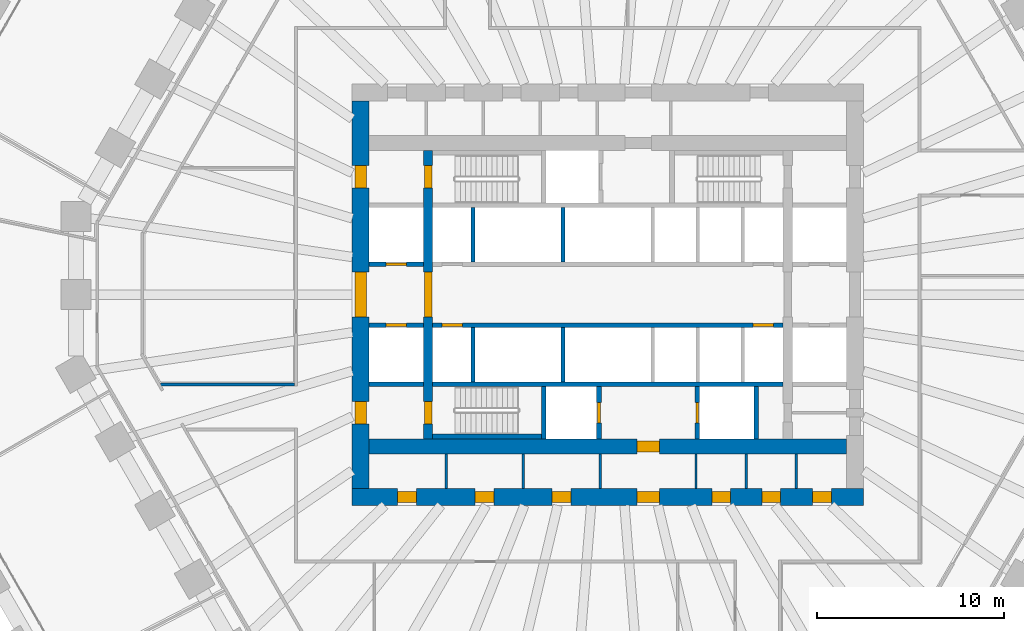
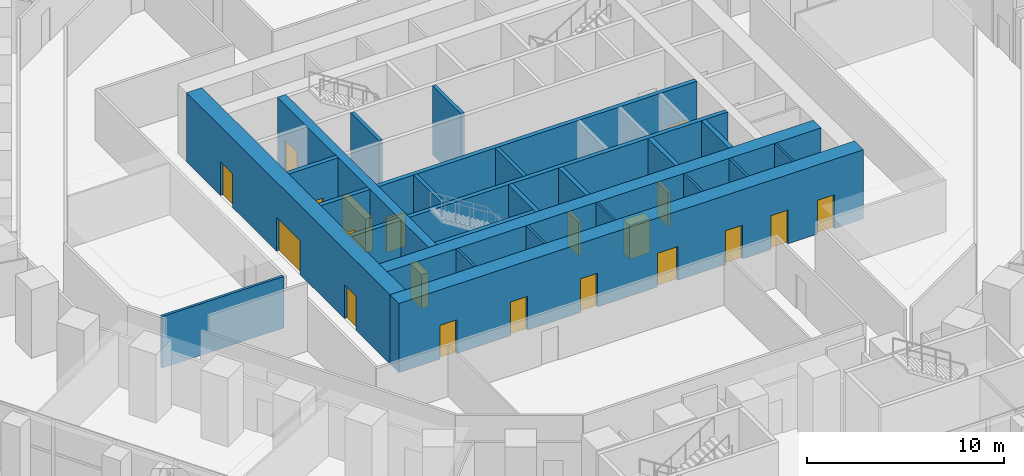
# One storey, part 20 of 38: 25 walls, 20 doors, 20 openings.
"""IFC4 building model written with IfcOpenShell, lengths in metres."""

from ifc_helpers import new_model, si_unit, direction, frame, frame_2d, origin, place, context, subcontext, project, spatial, rectangle, extrude, material, layer, layer_set, type_object, element, fill, save


model = new_model("IFC4")

# Units and contexts
model_context = context("Model", 3, precision=1e-05, world=origin(), true_north=direction((0.0, 1.0)))
body_context = subcontext(model_context, "Body", "Model", "MODEL_VIEW")
ifc_project = project(units=[si_unit("LENGTHUNIT", "METRE"), si_unit("AREAUNIT", "SQUARE_METRE"), si_unit("VOLUMEUNIT", "CUBIC_METRE"), si_unit("PLANEANGLEUNIT", "RADIAN"), si_unit("MASSUNIT", "GRAM", prefix="KILO")], contexts=[model_context])

# Site, building, storey
site_placement = place(None, origin())
site = spatial("IfcSite", under=ifc_project, at=site_placement, CompositionType="ELEMENT")
building_placement = place(site_placement, origin())
building = spatial("IfcBuilding", under=site, at=building_placement, Name="Frailejon Research Tower", CompositionType="ELEMENT")
storey_placement = place(building_placement, frame((0.0, 0.0, 5.60009765625)))
storey = spatial("IfcBuildingStorey", under=building, at=storey_placement, Name="L01", CompositionType="ELEMENT", Elevation=5.60009765625)

# Walls
ifc_material_1 = material(Name="Plasterboard on steel studs", Category="steel")
ifc_layer_1 = layer(ifc_material_1, 0.125)
ifc_layer_set_1 = layer_set([ifc_layer_1], Name="Core partition 125")
wall_type_1 = type_object("IfcWallType", Name="Core partition 125", PredefinedType="PARTITIONING", material=ifc_layer_set_1)
for number, where, z_axis, x_axis, name in (
    (1, (-8.637451171875, -10.35009765625, 0.0), (0.0, 0.0, 1.0), (0.0, 1.0, 0.0), "Core partition"),
    (2, (-4.52490234375, -10.35009765625, 0.0), (0.0, 0.0, 1.0), (0.0, 1.0, 0.0), "Core partition"),
    (3, (-0.41259765625, -10.35009765625, 0.0), (0.0, 0.0, 1.0), (0.0, 1.0, 0.0), "Core partition"),
    (4, (4.71240234375, -10.35009765625, 0.0), (0.0, 0.0, 1.0), (0.0, 1.0, 0.0), "Core partition"),
    (5, (7.3916015625, -10.35009765625, 0.0), (0.0, 0.0, 1.0), (0.0, 1.0, 0.0), "Core partition"),
    (6, (10.07080078125, -10.35009765625, 0.0), (0.0, 0.0, 1.0), (0.0, 1.0, 0.0), "Core partition"),
):
    element("IfcWall", number, at=place(storey_placement, frame(where, z_axis=z_axis, x_axis=x_axis)), inside=storey, type_object=wall_type_1, Name=name, PredefinedType="PARTITIONING", context=body_context, shape_type="SweptSolid", body=[
        extrude(rectangle(XDim=1.85009765625, YDim=0.125, at=frame_2d((0.925048828125, 0.0))), origin(), (0.0, 0.0, 1.0), 4.2998046875),
    ])

# Wall, openings, doors
ifc_material_2 = material(Name="Concrete C70/85", Category="concrete")
ifc_layer_2 = layer(ifc_material_2, 0.5)
ifc_layer_set_2 = layer_set([ifc_layer_2], Name="Core shear wall 500 C70/85")
wall_type_2 = type_object("IfcWallType", Name="Core shear wall 500 C70/85", PredefinedType="SHEAR", material=ifc_layer_set_2)
wall_1_placement = place(storey_placement, frame((-9.60009765625, -7.699951171875, 0.0), z_axis=(0.0, 0.0, 1.0), x_axis=(0.0, 1.0, 0.0)))
wall_1 = element("IfcWall", 7, at=wall_1_placement, inside=storey, type_object=wall_type_2, Name="Core shear wall", PredefinedType="SHEAR", context=body_context, shape_type="SweptSolid", body=[
    extrude(rectangle(XDim=15.39990234375, YDim=0.5, at=frame_2d((7.699951171875, 0.0))), origin(), (0.0, 0.0, 1.0), 4.2998046875),
])
opening_1_placement = place(wall_1_placement, frame((6.5, 0.0, 0.0)))
opening_1 = element("IfcOpeningElement", 8, at=opening_1_placement, cuts=wall_1, Name="Opening D2", PredefinedType="OPENING", context=body_context, shape_type="SweptSolid", body=[
    extrude(rectangle(XDim=2.39990234375, YDim=2.10009765625, at=frame_2d((1.199951171875, 1.050048828125))), frame((0.0, 0.260009765625, 0.0), z_axis=(0.0, -1.0, 0.0), x_axis=(1.0, 0.0, 0.0)), (0.0, 0.0, 1.0), 0.52001953125),
])
opening_2_placement = place(wall_1_placement, frame((13.39990234375, 0.0, 0.0)))
opening_2 = element("IfcOpeningElement", 9, at=opening_2_placement, cuts=wall_1, Name="Opening D1", PredefinedType="OPENING", context=body_context, shape_type="SweptSolid", body=[
    extrude(rectangle(XDim=1.199951171875, YDim=2.10009765625, at=frame_2d((0.60009765625, 1.050048828125))), frame((0.0, 0.260009765625, 0.0), z_axis=(0.0, -1.0, 0.0), x_axis=(1.0, 0.0, 0.0)), (0.0, 0.0, 1.0), 0.52001953125),
])
opening_3_placement = place(wall_1_placement, frame((0.800048828125, 0.0, 0.0)))
opening_3 = element("IfcOpeningElement", 10, at=opening_3_placement, cuts=wall_1, Name="Opening D1", PredefinedType="OPENING", context=body_context, shape_type="SweptSolid", body=[
    extrude(rectangle(XDim=1.199951171875, YDim=2.10009765625, at=frame_2d((0.60009765625, 1.050048828125))), frame((0.0, 0.260009765625, 0.0), z_axis=(0.0, -1.0, 0.0), x_axis=(1.0, 0.0, 0.0)), (0.0, 0.0, 1.0), 0.52001953125),
])
ifc_material_3 = material(Name="Steel", Category="steel")
door_type_1 = type_object("IfcDoorType", Name="Lobby double door", OperationType="DOUBLE_DOOR_SINGLE_SWING", PredefinedType="DOOR", material=ifc_material_3)
door_1_placement = place(opening_1_placement, origin())
door_1 = element("IfcDoor", 11, at=door_1_placement, inside=storey, type_object=door_type_1, Name="Lobby door", OperationType="DOUBLE_DOOR_SINGLE_SWING", OverallHeight=2.10009765625, OverallWidth=2.39990234375, PredefinedType="DOOR", context=body_context, shape_type="SweptSolid", body=[
    extrude(rectangle(XDim=2.39990234375, YDim=2.10009765625, at=frame_2d((1.199951171875, 1.050048828125))), frame((0.0, 0.199951171875, 0.0), z_axis=(0.0, -1.0, 0.0), x_axis=(1.0, 0.0, 0.0)), (0.0, 0.0, 1.0), 0.39990234375),
])
fill(opening_1, door_1)
ifc_material_4 = material(Name="Steel", Category="steel")
door_type_2 = type_object("IfcDoorType", Name="Stair door", OperationType="SINGLE_SWING_LEFT", PredefinedType="DOOR", material=ifc_material_4)
door_2_placement = place(opening_2_placement, origin())
door_2 = element("IfcDoor", 12, at=door_2_placement, inside=storey, type_object=door_type_2, Name="Stair door ST1", OperationType="SINGLE_SWING_LEFT", OverallHeight=2.10009765625, OverallWidth=1.199951171875, PredefinedType="DOOR", context=body_context, shape_type="SweptSolid", body=[
    extrude(rectangle(XDim=1.199951171875, YDim=2.10009765625, at=frame_2d((0.60009765625, 1.050048828125))), frame((0.0, 0.199951171875, 0.0), z_axis=(0.0, -1.0, 0.0), x_axis=(1.0, 0.0, 0.0)), (0.0, 0.0, 1.0), 0.39990234375),
])
fill(opening_2, door_2)
door_3_placement = place(opening_3_placement, origin())
door_3 = element("IfcDoor", 13, at=door_3_placement, inside=storey, type_object=door_type_2, Name="Stair door ST2", OperationType="SINGLE_SWING_LEFT", OverallHeight=2.10009765625, OverallWidth=1.199951171875, PredefinedType="DOOR", context=body_context, shape_type="SweptSolid", body=[
    extrude(rectangle(XDim=1.199951171875, YDim=2.10009765625, at=frame_2d((0.60009765625, 1.050048828125))), frame((0.0, 0.199951171875, 0.0), z_axis=(0.0, -1.0, 0.0), x_axis=(1.0, 0.0, 0.0)), (0.0, 0.0, 1.0), 0.39990234375),
])
fill(opening_3, door_3)

# Wall, opening, door
ifc_material_5 = material(Name="Concrete C70/85", Category="concrete")
ifc_layer_3 = layer(ifc_material_5, 0.800048828125)
ifc_layer_set_3 = layer_set([ifc_layer_3], Name="Core shear wall 800 C70/85")
wall_type_3 = type_object("IfcWallType", Name="Core shear wall 800 C70/85", PredefinedType="SHEAR", material=ifc_layer_set_3)
wall_2_placement = place(storey_placement, frame((-12.75, -8.10009765625, 0.0), z_axis=(0.0, 0.0, 1.0), x_axis=(1.0, 0.0, 0.0)))
wall_2 = element("IfcWall", 14, at=wall_2_placement, inside=storey, type_object=wall_type_3, Name="Core shear wall", PredefinedType="SHEAR", context=body_context, shape_type="SweptSolid", body=[
    extrude(rectangle(XDim=25.5, YDim=0.800048828125, at=frame_2d((12.75, 0.0))), origin(), (0.0, 0.0, 1.0), 4.2998046875),
])
opening_4_placement = place(wall_2_placement, frame((14.300048828125, 0.0, 0.0)))
opening_4 = element("IfcOpeningElement", 15, at=opening_4_placement, cuts=wall_2, Name="Opening D3", PredefinedType="OPENING", context=body_context, shape_type="SweptSolid", body=[
    extrude(rectangle(XDim=1.199951171875, YDim=2.10009765625, at=frame_2d((0.60009765625, 1.050048828125))), frame((0.0, 0.409912109375, 0.0), z_axis=(0.0, -1.0, 0.0), x_axis=(1.0, 0.0, 0.0)), (0.0, 0.0, 1.0), 0.820068359375),
])
ifc_material_6 = material(Name="Steel", Category="steel")
door_type_3 = type_object("IfcDoorType", Name="Firefighting lobby door", OperationType="SINGLE_SWING_LEFT", PredefinedType="DOOR", material=ifc_material_6)
door_4_placement = place(opening_4_placement, origin())
door_4 = element("IfcDoor", 16, at=door_4_placement, inside=storey, type_object=door_type_3, Name="Firefighting lobby door", OperationType="SINGLE_SWING_LEFT", OverallHeight=2.10009765625, OverallWidth=1.199951171875, PredefinedType="DOOR", context=body_context, shape_type="SweptSolid", body=[
    extrude(rectangle(XDim=1.199951171875, YDim=2.10009765625, at=frame_2d((0.60009765625, 1.050048828125))), frame((0.0, 0.300048828125, 0.0), z_axis=(0.0, -1.0, 0.0), x_axis=(1.0, 0.0, 0.0)), (0.0, 0.0, 1.0), 0.60009765625),
])
fill(opening_4, door_4)

# Wall, openings, doors
ifc_material_7 = material(Name="Concrete C70/85", Category="concrete")
ifc_layer_4 = layer(ifc_material_7, 0.89990234375)
ifc_layer_set_4 = layer_set([ifc_layer_4], Name="Core shear wall 900 C70/85")
wall_type_4 = type_object("IfcWallType", Name="Core shear wall 900 C70/85", PredefinedType="SHEAR", material=ifc_layer_set_4)
wall_3_placement = place(storey_placement, frame((-13.64990234375, -10.800048828125, 0.0), z_axis=(0.0, 0.0, 1.0), x_axis=(1.0, 0.0, 0.0)))
wall_3 = element("IfcWall", 17, at=wall_3_placement, inside=storey, type_object=wall_type_4, Name="Core shear wall", PredefinedType="SHEAR", context=body_context, shape_type="SweptSolid", body=[
    extrude(rectangle(XDim=27.2998046875, YDim=0.89990234375, at=frame_2d((13.64990234375, 0.0))), origin(), (0.0, 0.0, 1.0), 4.2998046875),
])
opening_5_placement = place(wall_3_placement, frame((2.425048828125, 0.0, 0.0)))
opening_5 = element("IfcOpeningElement", 18, at=opening_5_placement, cuts=wall_3, Name="Opening D4", PredefinedType="OPENING", context=body_context, shape_type="SweptSolid", body=[
    extrude(rectangle(XDim=1.0, YDim=2.10009765625, at=frame_2d((0.5, 1.050048828125))), frame((0.0, 0.4599609375, 0.0), z_axis=(0.0, -1.0, 0.0), x_axis=(1.0, 0.0, 0.0)), (0.0, 0.0, 1.0), 0.919921875),
])
opening_6_placement = place(wall_3_placement, frame((6.568603515625, 0.0, 0.0)))
opening_6 = element("IfcOpeningElement", 19, at=opening_6_placement, cuts=wall_3, Name="Opening D4", PredefinedType="OPENING", context=body_context, shape_type="SweptSolid", body=[
    extrude(rectangle(XDim=1.0, YDim=2.10009765625, at=frame_2d((0.5, 1.050048828125))), frame((0.0, 0.4599609375, 0.0), z_axis=(0.0, -1.0, 0.0), x_axis=(1.0, 0.0, 0.0)), (0.0, 0.0, 1.0), 0.919921875),
])
opening_7_placement = place(wall_3_placement, frame((10.68115234375, 0.0, 0.0)))
opening_7 = element("IfcOpeningElement", 20, at=opening_7_placement, cuts=wall_3, Name="Opening D4", PredefinedType="OPENING", context=body_context, shape_type="SweptSolid", body=[
    extrude(rectangle(XDim=1.0, YDim=2.10009765625, at=frame_2d((0.5, 1.050048828125))), frame((0.0, 0.4599609375, 0.0), z_axis=(0.0, -1.0, 0.0), x_axis=(1.0, 0.0, 0.0)), (0.0, 0.0, 1.0), 0.919921875),
])
opening_8_placement = place(wall_3_placement, frame((19.2021484375, 0.0, 0.0)))
opening_8 = element("IfcOpeningElement", 21, at=opening_8_placement, cuts=wall_3, Name="Opening D4", PredefinedType="OPENING", context=body_context, shape_type="SweptSolid", body=[
    extrude(rectangle(XDim=1.0, YDim=2.10009765625, at=frame_2d((0.5, 1.050048828125))), frame((0.0, 0.4599609375, 0.0), z_axis=(0.0, -1.0, 0.0), x_axis=(1.0, 0.0, 0.0)), (0.0, 0.0, 1.0), 0.919921875),
])
opening_9_placement = place(wall_3_placement, frame((21.881103515625, 0.0, 0.0)))
opening_9 = element("IfcOpeningElement", 22, at=opening_9_placement, cuts=wall_3, Name="Opening D4", PredefinedType="OPENING", context=body_context, shape_type="SweptSolid", body=[
    extrude(rectangle(XDim=1.0, YDim=2.10009765625, at=frame_2d((0.5, 1.050048828125))), frame((0.0, 0.4599609375, 0.0), z_axis=(0.0, -1.0, 0.0), x_axis=(1.0, 0.0, 0.0)), (0.0, 0.0, 1.0), 0.919921875),
])
opening_10_placement = place(wall_3_placement, frame((24.591796875, 0.0, 0.0)))
opening_10 = element("IfcOpeningElement", 23, at=opening_10_placement, cuts=wall_3, Name="Opening D4", PredefinedType="OPENING", context=body_context, shape_type="SweptSolid", body=[
    extrude(rectangle(XDim=1.0, YDim=2.10009765625, at=frame_2d((0.5, 1.050048828125))), frame((0.0, 0.4599609375, 0.0), z_axis=(0.0, -1.0, 0.0), x_axis=(1.0, 0.0, 0.0)), (0.0, 0.0, 1.0), 0.919921875),
])
opening_11_placement = place(wall_3_placement, frame((15.199951171875, 0.0, 0.0)))
opening_11 = element("IfcOpeningElement", 24, at=opening_11_placement, cuts=wall_3, Name="Opening D3", PredefinedType="OPENING", context=body_context, shape_type="SweptSolid", body=[
    extrude(rectangle(XDim=1.199951171875, YDim=2.10009765625, at=frame_2d((0.60009765625, 1.050048828125))), frame((0.0, 0.4599609375, 0.0), z_axis=(0.0, -1.0, 0.0), x_axis=(1.0, 0.0, 0.0)), (0.0, 0.0, 1.0), 0.919921875),
])
door_5_placement = place(opening_11_placement, origin())
door_5 = element("IfcDoor", 25, at=door_5_placement, inside=storey, type_object=door_type_3, Name="Passage door", OperationType="SINGLE_SWING_RIGHT", OverallHeight=2.10009765625, OverallWidth=1.199951171875, PredefinedType="DOOR", context=body_context, shape_type="SweptSolid", body=[
    extrude(rectangle(XDim=1.199951171875, YDim=2.10009765625, at=frame_2d((0.60009765625, 1.050048828125))), frame((0.0, 0.300048828125, 0.0), z_axis=(0.0, -1.0, 0.0), x_axis=(1.0, 0.0, 0.0)), (0.0, 0.0, 1.0), 0.60009765625),
])
fill(opening_11, door_5)
ifc_material_8 = material(Name="Steel", Category="steel")
door_type_4 = type_object("IfcDoorType", Name="Service door", OperationType="SINGLE_SWING_LEFT", PredefinedType="DOOR", material=ifc_material_8)
door_6_placement = place(opening_5_placement, origin())
door_6 = element("IfcDoor", 26, at=door_6_placement, inside=storey, type_object=door_type_4, Name="Room door", OperationType="SINGLE_SWING_RIGHT", OverallHeight=2.10009765625, OverallWidth=1.0, PredefinedType="DOOR", context=body_context, shape_type="SweptSolid", body=[
    extrude(rectangle(XDim=1.0, YDim=2.10009765625, at=frame_2d((0.5, 1.050048828125))), frame((0.0, 0.300048828125, 0.0), z_axis=(0.0, -1.0, 0.0), x_axis=(1.0, 0.0, 0.0)), (0.0, 0.0, 1.0), 0.60009765625),
])
fill(opening_5, door_6)
door_7_placement = place(opening_6_placement, origin())
door_7 = element("IfcDoor", 27, at=door_7_placement, inside=storey, type_object=door_type_4, Name="Room door", OperationType="SINGLE_SWING_LEFT", OverallHeight=2.10009765625, OverallWidth=1.0, PredefinedType="DOOR", context=body_context, shape_type="SweptSolid", body=[
    extrude(rectangle(XDim=1.0, YDim=2.10009765625, at=frame_2d((0.5, 1.050048828125))), frame((0.0, 0.300048828125, 0.0), z_axis=(0.0, -1.0, 0.0), x_axis=(1.0, 0.0, 0.0)), (0.0, 0.0, 1.0), 0.60009765625),
])
fill(opening_6, door_7)
door_8_placement = place(opening_7_placement, origin())
door_8 = element("IfcDoor", 28, at=door_8_placement, inside=storey, type_object=door_type_4, Name="Room door", OperationType="SINGLE_SWING_RIGHT", OverallHeight=2.10009765625, OverallWidth=1.0, PredefinedType="DOOR", context=body_context, shape_type="SweptSolid", body=[
    extrude(rectangle(XDim=1.0, YDim=2.10009765625, at=frame_2d((0.5, 1.050048828125))), frame((0.0, 0.300048828125, 0.0), z_axis=(0.0, -1.0, 0.0), x_axis=(1.0, 0.0, 0.0)), (0.0, 0.0, 1.0), 0.60009765625),
])
fill(opening_7, door_8)
door_9_placement = place(opening_8_placement, origin())
door_9 = element("IfcDoor", 29, at=door_9_placement, inside=storey, type_object=door_type_4, Name="Room door", OperationType="SINGLE_SWING_LEFT", OverallHeight=2.10009765625, OverallWidth=1.0, PredefinedType="DOOR", context=body_context, shape_type="SweptSolid", body=[
    extrude(rectangle(XDim=1.0, YDim=2.10009765625, at=frame_2d((0.5, 1.050048828125))), frame((0.0, 0.300048828125, 0.0), z_axis=(0.0, -1.0, 0.0), x_axis=(1.0, 0.0, 0.0)), (0.0, 0.0, 1.0), 0.60009765625),
])
fill(opening_8, door_9)
door_10_placement = place(opening_9_placement, origin())
door_10 = element("IfcDoor", 30, at=door_10_placement, inside=storey, type_object=door_type_4, Name="Room door", OperationType="SINGLE_SWING_RIGHT", OverallHeight=2.10009765625, OverallWidth=1.0, PredefinedType="DOOR", context=body_context, shape_type="SweptSolid", body=[
    extrude(rectangle(XDim=1.0, YDim=2.10009765625, at=frame_2d((0.5, 1.050048828125))), frame((0.0, 0.300048828125, 0.0), z_axis=(0.0, -1.0, 0.0), x_axis=(1.0, 0.0, 0.0)), (0.0, 0.0, 1.0), 0.60009765625),
])
fill(opening_9, door_10)
door_11_placement = place(opening_10_placement, origin())
door_11 = element("IfcDoor", 31, at=door_11_placement, inside=storey, type_object=door_type_4, Name="Room door", OperationType="SINGLE_SWING_LEFT", OverallHeight=2.10009765625, OverallWidth=1.0, PredefinedType="DOOR", context=body_context, shape_type="SweptSolid", body=[
    extrude(rectangle(XDim=1.0, YDim=2.10009765625, at=frame_2d((0.5, 1.050048828125))), frame((0.0, 0.300048828125, 0.0), z_axis=(0.0, -1.0, 0.0), x_axis=(1.0, 0.0, 0.0)), (0.0, 0.0, 1.0), 0.60009765625),
])
fill(opening_10, door_11)

wall_4_placement = place(storey_placement, frame((-13.199951171875, -10.35009765625, 0.0), z_axis=(0.0, 0.0, 1.0), x_axis=(0.0, 1.0, 0.0)))
wall_4 = element("IfcWall", 32, at=wall_4_placement, inside=storey, type_object=wall_type_4, Name="Core shear wall", PredefinedType="SHEAR", context=body_context, shape_type="SweptSolid", body=[
    extrude(rectangle(XDim=20.7001953125, YDim=0.89990234375, at=frame_2d((10.35009765625, 0.0))), origin(), (0.0, 0.0, 1.0), 4.2998046875),
])
opening_12_placement = place(wall_4_placement, frame((9.14990234375, 0.0, 0.0)))
opening_12 = element("IfcOpeningElement", 33, at=opening_12_placement, cuts=wall_4, Name="Opening D2", PredefinedType="OPENING", context=body_context, shape_type="SweptSolid", body=[
    extrude(rectangle(XDim=2.39990234375, YDim=2.10009765625, at=frame_2d((1.199951171875, 1.050048828125))), frame((0.0, 0.4599609375, 0.0), z_axis=(0.0, -1.0, 0.0), x_axis=(1.0, 0.0, 0.0)), (0.0, 0.0, 1.0), 0.919921875),
])
opening_13_placement = place(wall_4_placement, frame((16.050048828125, 0.0, 0.0)))
opening_13 = element("IfcOpeningElement", 34, at=opening_13_placement, cuts=wall_4, Name="Opening D7", PredefinedType="OPENING", context=body_context, shape_type="SweptSolid", body=[
    extrude(rectangle(XDim=1.199951171875, YDim=2.10009765625, at=frame_2d((0.60009765625, 1.050048828125))), frame((0.0, 0.4599609375, 0.0), z_axis=(0.0, -1.0, 0.0), x_axis=(1.0, 0.0, 0.0)), (0.0, 0.0, 1.0), 0.919921875),
])
opening_14_placement = place(wall_4_placement, frame((3.449951171875, 0.0, 0.0)))
opening_14 = element("IfcOpeningElement", 35, at=opening_14_placement, cuts=wall_4, Name="Opening D7", PredefinedType="OPENING", context=body_context, shape_type="SweptSolid", body=[
    extrude(rectangle(XDim=1.199951171875, YDim=2.10009765625, at=frame_2d((0.60009765625, 1.050048828125))), frame((0.0, 0.4599609375, 0.0), z_axis=(0.0, -1.0, 0.0), x_axis=(1.0, 0.0, 0.0)), (0.0, 0.0, 1.0), 0.919921875),
])
door_12_placement = place(opening_12_placement, origin())
door_12 = element("IfcDoor", 36, at=door_12_placement, inside=storey, type_object=door_type_1, Name="Lobby door", OperationType="DOUBLE_DOOR_SINGLE_SWING", OverallHeight=2.10009765625, OverallWidth=2.39990234375, PredefinedType="DOOR", context=body_context, shape_type="SweptSolid", body=[
    extrude(rectangle(XDim=2.39990234375, YDim=2.10009765625, at=frame_2d((1.199951171875, 1.050048828125))), frame((0.0, 0.300048828125, 0.0), z_axis=(0.0, -1.0, 0.0), x_axis=(1.0, 0.0, 0.0)), (0.0, 0.0, 1.0), 0.60009765625),
])
fill(opening_12, door_12)
ifc_material_9 = material(Name="Steel", Category="steel")
door_type_5 = type_object("IfcDoorType", Name="Stair exit door", OperationType="SINGLE_SWING_LEFT", PredefinedType="DOOR", material=ifc_material_9)
door_13_placement = place(opening_13_placement, origin())
door_13 = element("IfcDoor", 37, at=door_13_placement, inside=storey, type_object=door_type_5, Name="Stair exit door ST1", OperationType="SINGLE_SWING_RIGHT", OverallHeight=2.10009765625, OverallWidth=1.199951171875, PredefinedType="DOOR", context=body_context, shape_type="SweptSolid", body=[
    extrude(rectangle(XDim=1.199951171875, YDim=2.10009765625, at=frame_2d((0.60009765625, 1.050048828125))), frame((0.0, 0.300048828125, 0.0), z_axis=(0.0, -1.0, 0.0), x_axis=(1.0, 0.0, 0.0)), (0.0, 0.0, 1.0), 0.60009765625),
])
fill(opening_13, door_13)
door_14_placement = place(opening_14_placement, origin())
door_14 = element("IfcDoor", 38, at=door_14_placement, inside=storey, type_object=door_type_5, Name="Stair exit door ST2", OperationType="SINGLE_SWING_RIGHT", OverallHeight=2.10009765625, OverallWidth=1.199951171875, PredefinedType="DOOR", context=body_context, shape_type="SweptSolid", body=[
    extrude(rectangle(XDim=1.199951171875, YDim=2.10009765625, at=frame_2d((0.60009765625, 1.050048828125))), frame((0.0, 0.300048828125, 0.0), z_axis=(0.0, -1.0, 0.0), x_axis=(1.0, 0.0, 0.0)), (0.0, 0.0, 1.0), 0.60009765625),
])
fill(opening_14, door_14)

# Walls
ifc_material_10 = material(Name="Gypsum board and masonry partition", Category="masonry")
ifc_layer_5 = layer(ifc_material_10, 0.14990234375)
ifc_layer_set_5 = layer_set([ifc_layer_5], Name="Corridor wall EI 60, gypsum on steel studs 150")
wall_type_5 = type_object("IfcWallType", Name="Corridor wall EI 60, gypsum on steel studs 150", PredefinedType="PARTITIONING", material=ifc_layer_set_5)
wall_5_placement = place(storey_placement, frame((-23.885009765625, -4.800048828125, 0.0), z_axis=(0.0, 0.0, 1.0), x_axis=(1.0, 0.0, 0.0)))
element("IfcWall", 39, at=wall_5_placement, inside=storey, type_object=wall_type_5, Name="T:IW:L01:040", PredefinedType="PARTITIONING", context=body_context, shape_type="SweptSolid", body=[
    extrude(rectangle(XDim=7.159912109375, YDim=0.14990234375, at=frame_2d((3.580078125, 0.0))), origin(), (0.0, 0.0, 1.0), 3.199951171875),
])
ifc_material_11 = material(Name="Concrete C70/85", Category="concrete")
ifc_layer_6 = layer(ifc_material_11, 0.199951171875)
ifc_layer_set_6 = layer_set([ifc_layer_6], Name="Shaft wall 200 C70/85")
wall_type_6 = type_object("IfcWallType", Name="Shaft wall 200 C70/85", PredefinedType="SOLIDWALL", material=ifc_layer_set_6)
for number, where, z_axis, x_axis, name in (
    (40, (-7.199951171875, 1.75, 0.0), (0.0, 0.0, 1.0), (0.0, 1.0, 0.0), "Shaft wall"),
    (41, (-2.39990234375, 1.75, 0.0), (0.0, 0.0, 1.0), (0.0, 1.0, 0.0), "Shaft wall"),
    (42, (-7.199951171875, -4.64990234375, 0.0), (0.0, 0.0, 1.0), (0.0, 1.0, 0.0), "Shaft wall"),
    (43, (-2.39990234375, -4.64990234375, 0.0), (0.0, 0.0, 1.0), (0.0, 1.0, 0.0), "Shaft wall"),
):
    element("IfcWall", number, at=place(storey_placement, frame(where, z_axis=z_axis, x_axis=x_axis)), inside=storey, type_object=wall_type_6, Name=name, PredefinedType="SOLIDWALL", context=body_context, shape_type="SweptSolid", body=[
        extrude(rectangle(XDim=2.89990234375, YDim=0.199951171875, at=frame_2d((1.449951171875, 0.0))), origin(), (0.0, 0.0, 1.0), 4.2998046875),
    ])

# Wall, opening, door
ifc_material_12 = material(Name="Concrete C70/85", Category="concrete")
ifc_layer_7 = layer(ifc_material_12, 0.25)
ifc_layer_set_7 = layer_set([ifc_layer_7], Name="Shaft wall 250 C70/85")
wall_type_7 = type_object("IfcWallType", Name="Shaft wall 250 C70/85", PredefinedType="SOLIDWALL", material=ifc_layer_set_7)
wall_6_placement = place(storey_placement, frame((-12.75, 1.625, 0.0), z_axis=(0.0, 0.0, 1.0), x_axis=(1.0, 0.0, 0.0)))
wall_6 = element("IfcWall", 44, at=wall_6_placement, inside=storey, type_object=wall_type_7, Name="Shaft wall", PredefinedType="SOLIDWALL", context=body_context, shape_type="SweptSolid", body=[
    extrude(rectangle(XDim=2.89990234375, YDim=0.25, at=frame_2d((1.449951171875, 0.0))), origin(), (0.0, 0.0, 1.0), 4.2998046875),
])
opening_15_placement = place(wall_6_placement, frame((0.89990234375, 0.0, 0.0)))
opening_15 = element("IfcOpeningElement", 45, at=opening_15_placement, cuts=wall_6, Name="Opening LD", PredefinedType="OPENING", context=body_context, shape_type="SweptSolid", body=[
    extrude(rectangle(XDim=1.10009765625, YDim=2.10009765625, at=frame_2d((0.550048828125, 1.050048828125))), frame((0.0, 0.135009765625, 0.0), z_axis=(0.0, -1.0, 0.0), x_axis=(1.0, 0.0, 0.0)), (0.0, 0.0, 1.0), 0.27001953125),
])
ifc_material_13 = material(Name="Steel", Category="steel")
door_type_6 = type_object("IfcDoorType", Name="Lift landing door", OperationType="DOUBLE_DOOR_SLIDING", PredefinedType="DOOR", material=ifc_material_13)
door_15_placement = place(opening_15_placement, origin())
door_15 = element("IfcDoor", 46, at=door_15_placement, inside=storey, type_object=door_type_6, Name="Lift landing door", OperationType="DOUBLE_DOOR_SLIDING", OverallHeight=2.10009765625, OverallWidth=1.10009765625, PredefinedType="DOOR", context=body_context, shape_type="SweptSolid", body=[
    extrude(rectangle(XDim=1.10009765625, YDim=2.10009765625, at=frame_2d((0.550048828125, 1.050048828125))), frame((0.0, 0.074951171875, 0.0), z_axis=(0.0, -1.0, 0.0), x_axis=(1.0, 0.0, 0.0)), (0.0, 0.0, 1.0), 0.14990234375),
])
fill(opening_15, door_15)

wall_7_placement = place(storey_placement, frame((-12.75, -1.625, 0.0), z_axis=(0.0, 0.0, 1.0), x_axis=(1.0, 0.0, 0.0)))
wall_7 = element("IfcWall", 47, at=wall_7_placement, inside=storey, type_object=wall_type_7, Name="Shaft wall", PredefinedType="SOLIDWALL", context=body_context, shape_type="SweptSolid", body=[
    extrude(rectangle(XDim=2.89990234375, YDim=0.25, at=frame_2d((1.449951171875, 0.0))), origin(), (0.0, 0.0, 1.0), 4.2998046875),
])
opening_16_placement = place(wall_7_placement, frame((0.89990234375, 0.0, 0.0)))
opening_16 = element("IfcOpeningElement", 48, at=opening_16_placement, cuts=wall_7, Name="Opening LD", PredefinedType="OPENING", context=body_context, shape_type="SweptSolid", body=[
    extrude(rectangle(XDim=1.10009765625, YDim=2.10009765625, at=frame_2d((0.550048828125, 1.050048828125))), frame((0.0, 0.135009765625, 0.0), z_axis=(0.0, -1.0, 0.0), x_axis=(1.0, 0.0, 0.0)), (0.0, 0.0, 1.0), 0.27001953125),
])
door_16_placement = place(opening_16_placement, origin())
door_16 = element("IfcDoor", 49, at=door_16_placement, inside=storey, type_object=door_type_6, Name="Lift landing door", OperationType="DOUBLE_DOOR_SLIDING", OverallHeight=2.10009765625, OverallWidth=1.10009765625, PredefinedType="DOOR", context=body_context, shape_type="SweptSolid", body=[
    extrude(rectangle(XDim=1.10009765625, YDim=2.10009765625, at=frame_2d((0.550048828125, 1.050048828125))), frame((0.0, 0.074951171875, 0.0), z_axis=(0.0, -1.0, 0.0), x_axis=(1.0, 0.0, 0.0)), (0.0, 0.0, 1.0), 0.14990234375),
])
fill(opening_16, door_16)

# Wall, openings, doors
wall_8_placement = place(storey_placement, frame((-9.35009765625, -1.625, 0.0), z_axis=(0.0, 0.0, 1.0), x_axis=(1.0, 0.0, 0.0)))
wall_8 = element("IfcWall", 50, at=wall_8_placement, inside=storey, type_object=wall_type_7, Name="Shaft wall", PredefinedType="SOLIDWALL", context=body_context, shape_type="SweptSolid", body=[
    extrude(rectangle(XDim=18.7001953125, YDim=0.25, at=frame_2d((9.35009765625, 0.0))), origin(), (0.0, 0.0, 1.0), 4.2998046875),
])
opening_17_placement = place(wall_8_placement, frame((0.5, 0.0, 0.0)))
opening_17 = element("IfcOpeningElement", 51, at=opening_17_placement, cuts=wall_8, Name="Opening LD", PredefinedType="OPENING", context=body_context, shape_type="SweptSolid", body=[
    extrude(rectangle(XDim=1.10009765625, YDim=2.10009765625, at=frame_2d((0.550048828125, 1.050048828125))), frame((0.0, 0.135009765625, 0.0), z_axis=(0.0, -1.0, 0.0), x_axis=(1.0, 0.0, 0.0)), (0.0, 0.0, 1.0), 0.27001953125),
])
opening_18_placement = place(wall_8_placement, frame((17.10009765625, 0.0, 0.0)))
opening_18 = element("IfcOpeningElement", 52, at=opening_18_placement, cuts=wall_8, Name="Opening LD", PredefinedType="OPENING", context=body_context, shape_type="SweptSolid", body=[
    extrude(rectangle(XDim=1.10009765625, YDim=2.10009765625, at=frame_2d((0.550048828125, 1.050048828125))), frame((0.0, 0.135009765625, 0.0), z_axis=(0.0, -1.0, 0.0), x_axis=(1.0, 0.0, 0.0)), (0.0, 0.0, 1.0), 0.27001953125),
])
door_17_placement = place(opening_17_placement, origin())
door_17 = element("IfcDoor", 53, at=door_17_placement, inside=storey, type_object=door_type_6, Name="Lift landing door", OperationType="DOUBLE_DOOR_SLIDING", OverallHeight=2.10009765625, OverallWidth=1.10009765625, PredefinedType="DOOR", context=body_context, shape_type="SweptSolid", body=[
    extrude(rectangle(XDim=1.10009765625, YDim=2.10009765625, at=frame_2d((0.550048828125, 1.050048828125))), frame((0.0, 0.074951171875, 0.0), z_axis=(0.0, -1.0, 0.0), x_axis=(1.0, 0.0, 0.0)), (0.0, 0.0, 1.0), 0.14990234375),
])
fill(opening_17, door_17)
door_18_placement = place(opening_18_placement, origin())
door_18 = element("IfcDoor", 54, at=door_18_placement, inside=storey, type_object=door_type_6, Name="Lift landing door", OperationType="DOUBLE_DOOR_SLIDING", OverallHeight=2.10009765625, OverallWidth=1.10009765625, PredefinedType="DOOR", context=body_context, shape_type="SweptSolid", body=[
    extrude(rectangle(XDim=1.10009765625, YDim=2.10009765625, at=frame_2d((0.550048828125, 1.050048828125))), frame((0.0, 0.074951171875, 0.0), z_axis=(0.0, -1.0, 0.0), x_axis=(1.0, 0.0, 0.0)), (0.0, 0.0, 1.0), 0.14990234375),
])
fill(opening_18, door_18)

# Walls
wall_9_placement = place(storey_placement, frame((-12.75, -4.77490234375, 0.0), z_axis=(0.0, 0.0, 1.0), x_axis=(1.0, 0.0, 0.0)))
element("IfcWall", 55, at=wall_9_placement, inside=storey, type_object=wall_type_7, Name="Shaft wall", PredefinedType="SOLIDWALL", context=body_context, shape_type="SweptSolid", body=[
    extrude(rectangle(XDim=2.89990234375, YDim=0.25, at=frame_2d((1.449951171875, 0.0))), origin(), (0.0, 0.0, 1.0), 4.2998046875),
])
wall_10_placement = place(storey_placement, frame((-9.35009765625, -4.77490234375, 0.0), z_axis=(0.0, 0.0, 1.0), x_axis=(1.0, 0.0, 0.0)))
element("IfcWall", 56, at=wall_10_placement, inside=storey, type_object=wall_type_7, Name="Shaft wall", PredefinedType="SOLIDWALL", context=body_context, shape_type="SweptSolid", body=[
    extrude(rectangle(XDim=18.7001953125, YDim=0.25, at=frame_2d((9.35009765625, 0.0))), origin(), (0.0, 0.0, 1.0), 4.2998046875),
])
wall_11_placement = place(storey_placement, frame((-9.35009765625, -7.574951171875, 0.0), z_axis=(0.0, 0.0, 1.0), x_axis=(1.0, 0.0, 0.0)))
element("IfcWall", 57, at=wall_11_placement, inside=storey, type_object=wall_type_7, Name="Shaft wall", PredefinedType="SOLIDWALL", context=body_context, shape_type="SweptSolid", body=[
    extrude(rectangle(XDim=5.800048828125, YDim=0.25, at=frame_2d((2.89990234375, 0.0))), origin(), (0.0, 0.0, 1.0), 4.2998046875),
])
wall_12_placement = place(storey_placement, frame((-3.425048828125, -7.699951171875, 0.0), z_axis=(0.0, 0.0, 1.0), x_axis=(0.0, 1.0, 0.0)))
element("IfcWall", 58, at=wall_12_placement, inside=storey, type_object=wall_type_7, Name="Shaft wall", PredefinedType="SOLIDWALL", context=body_context, shape_type="SweptSolid", body=[
    extrude(rectangle(XDim=2.800048828125, YDim=0.25, at=frame_2d((1.39990234375, 0.0))), origin(), (0.0, 0.0, 1.0), 4.2998046875),
])

# Wall, opening, door
wall_13_placement = place(storey_placement, frame((-0.47509765625, -7.699951171875, 0.0), z_axis=(0.0, 0.0, 1.0), x_axis=(0.0, 1.0, 0.0)))
wall_13 = element("IfcWall", 59, at=wall_13_placement, inside=storey, type_object=wall_type_7, Name="Shaft wall", PredefinedType="SOLIDWALL", context=body_context, shape_type="SweptSolid", body=[
    extrude(rectangle(XDim=2.800048828125, YDim=0.25, at=frame_2d((1.39990234375, 0.0))), origin(), (0.0, 0.0, 1.0), 4.2998046875),
])
opening_19_placement = place(wall_13_placement, frame((0.85009765625, 0.0, 0.0)))
opening_19 = element("IfcOpeningElement", 60, at=opening_19_placement, cuts=wall_13, Name="Opening LD", PredefinedType="OPENING", context=body_context, shape_type="SweptSolid", body=[
    extrude(rectangle(XDim=1.10009765625, YDim=2.10009765625, at=frame_2d((0.550048828125, 1.050048828125))), frame((0.0, 0.135009765625, 0.0), z_axis=(0.0, -1.0, 0.0), x_axis=(1.0, 0.0, 0.0)), (0.0, 0.0, 1.0), 0.27001953125),
])
door_19_placement = place(opening_19_placement, origin())
door_19 = element("IfcDoor", 61, at=door_19_placement, inside=storey, type_object=door_type_6, Name="Lift landing door", OperationType="DOUBLE_DOOR_SLIDING", OverallHeight=2.10009765625, OverallWidth=1.10009765625, PredefinedType="DOOR", context=body_context, shape_type="SweptSolid", body=[
    extrude(rectangle(XDim=1.10009765625, YDim=2.10009765625, at=frame_2d((0.550048828125, 1.050048828125))), frame((0.0, 0.074951171875, 0.0), z_axis=(0.0, -1.0, 0.0), x_axis=(1.0, 0.0, 0.0)), (0.0, 0.0, 1.0), 0.14990234375),
])
fill(opening_19, door_19)

wall_14_placement = place(storey_placement, frame((4.77490234375, -7.699951171875, 0.0), z_axis=(0.0, 0.0, 1.0), x_axis=(0.0, 1.0, 0.0)))
wall_14 = element("IfcWall", 62, at=wall_14_placement, inside=storey, type_object=wall_type_7, Name="Shaft wall", PredefinedType="SOLIDWALL", context=body_context, shape_type="SweptSolid", body=[
    extrude(rectangle(XDim=2.800048828125, YDim=0.25, at=frame_2d((1.39990234375, 0.0))), origin(), (0.0, 0.0, 1.0), 4.2998046875),
])
opening_20_placement = place(wall_14_placement, frame((0.85009765625, 0.0, 0.0)))
opening_20 = element("IfcOpeningElement", 63, at=opening_20_placement, cuts=wall_14, Name="Opening LD", PredefinedType="OPENING", context=body_context, shape_type="SweptSolid", body=[
    extrude(rectangle(XDim=1.10009765625, YDim=2.10009765625, at=frame_2d((0.550048828125, 1.050048828125))), frame((0.0, 0.135009765625, 0.0), z_axis=(0.0, -1.0, 0.0), x_axis=(1.0, 0.0, 0.0)), (0.0, 0.0, 1.0), 0.27001953125),
])
door_20_placement = place(opening_20_placement, origin())
door_20 = element("IfcDoor", 64, at=door_20_placement, inside=storey, type_object=door_type_6, Name="Lift landing door", OperationType="DOUBLE_DOOR_SLIDING", OverallHeight=2.10009765625, OverallWidth=1.10009765625, PredefinedType="DOOR", context=body_context, shape_type="SweptSolid", body=[
    extrude(rectangle(XDim=1.10009765625, YDim=2.10009765625, at=frame_2d((0.550048828125, 1.050048828125))), frame((0.0, 0.074951171875, 0.0), z_axis=(0.0, -1.0, 0.0), x_axis=(1.0, 0.0, 0.0)), (0.0, 0.0, 1.0), 0.14990234375),
])
fill(opening_20, door_20)

# Wall
wall_15_placement = place(storey_placement, frame((7.925048828125, -7.699951171875, 0.0), z_axis=(0.0, 0.0, 1.0), x_axis=(0.0, 1.0, 0.0)))
element("IfcWall", 65, at=wall_15_placement, inside=storey, type_object=wall_type_7, Name="Shaft wall", PredefinedType="SOLIDWALL", context=body_context, shape_type="SweptSolid", body=[
    extrude(rectangle(XDim=2.800048828125, YDim=0.25, at=frame_2d((1.39990234375, 0.0))), origin(), (0.0, 0.0, 1.0), 4.2998046875),
])

save(model, "model.ifc")
